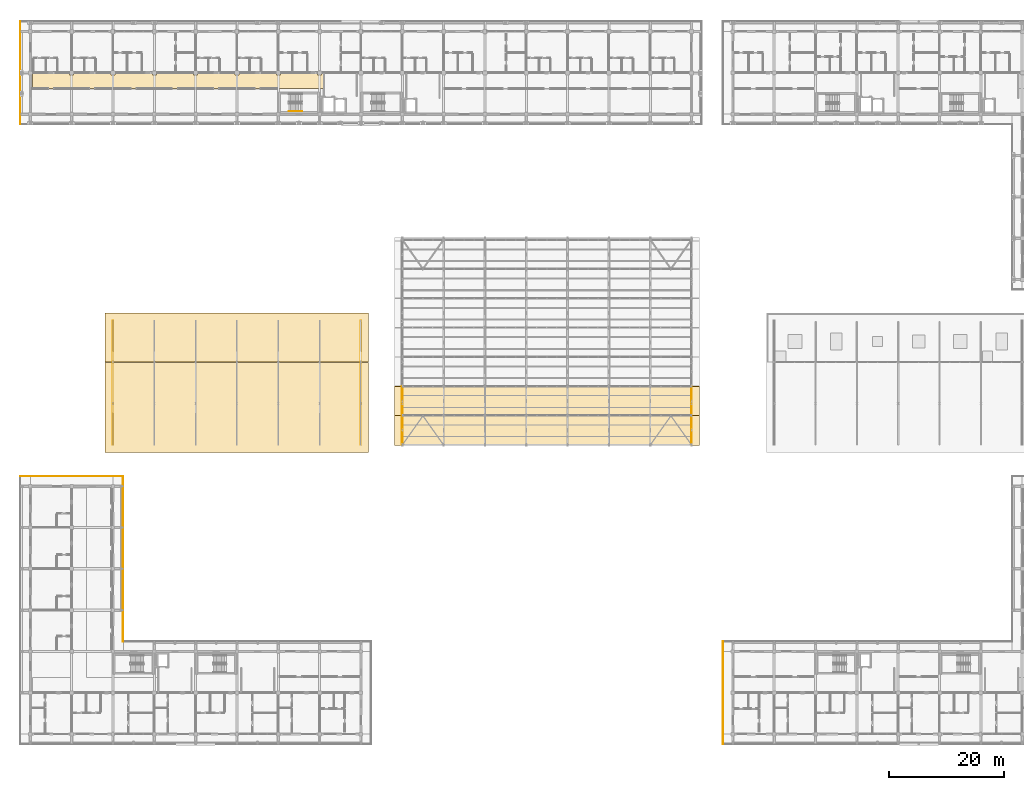
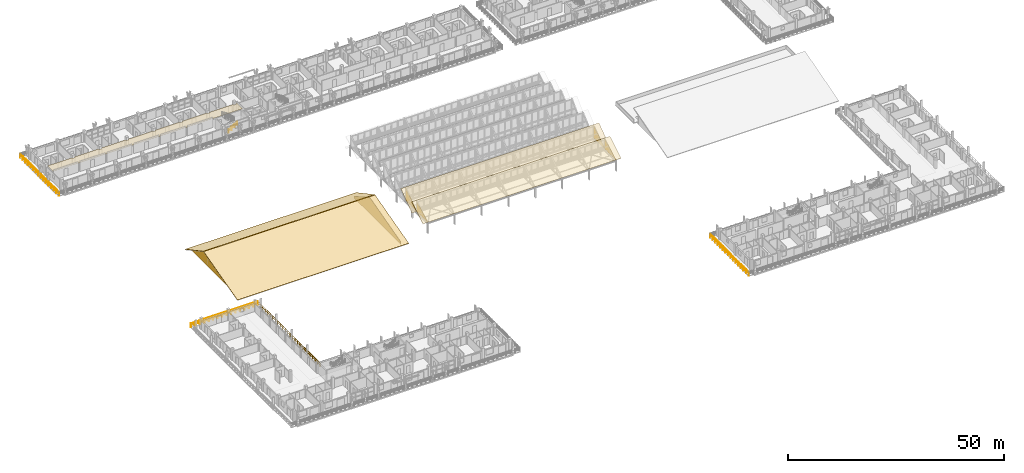
# One storey, part 146 of 157: 11 coverings, 5 railings.
"""IFC4 building model written with IfcOpenShell, lengths in metres."""

from ifc_helpers import new_model, si_unit, direction, frame, origin, origin_2d, place, context, subcontext, project, spatial, polyline, rectangle, outline, extrude, material, layer, layer_set, type_object, element, save


model = new_model("IFC4")

# Units and contexts
model_context = context("Model", 3, precision=1e-05, world=origin(), true_north=direction((0.0, 1.0)))
body_context = subcontext(model_context, "Body", "Model", "MODEL_VIEW")
ifc_project = project(units=[si_unit("LENGTHUNIT", "METRE"), si_unit("AREAUNIT", "SQUARE_METRE"), si_unit("VOLUMEUNIT", "CUBIC_METRE"), si_unit("PLANEANGLEUNIT", "RADIAN"), si_unit("MASSUNIT", "GRAM", prefix="KILO")], contexts=[model_context])

# Site, building, storey
site_placement = place(None, origin())
site = spatial("IfcSite", under=ifc_project, at=site_placement, CompositionType="ELEMENT")
building_placement = place(site_placement, origin())
building = spatial("IfcBuilding", under=site, at=building_placement, Name="Suanplinth Sawtooth Commons", CompositionType="ELEMENT")
storey_placement = place(building_placement, frame((0.0, 0.0, 9.0)))
storey = spatial("IfcBuildingStorey", under=building, at=storey_placement, Name="L02", CompositionType="ELEMENT", Elevation=9.0)

# Coverings
ifc_material_1 = material(Name="Mineral fibre acoustic tile")
ifc_layer_1 = layer(ifc_material_1, 0.0400390625, Name="Perforated mineral-fibre acoustic suspended ceiling")
ifc_layer_set_1 = layer_set([ifc_layer_1], Name="Mineral fibre acoustic tile")
covering_type_1 = type_object("IfcCoveringType", Name="CV-CE01", PredefinedType="CEILING", material=ifc_layer_set_1)
covering_1_placement = place(storey_placement, frame((0.0, 0.0, 2.3798828125)))
element("IfcCovering", 1, at=covering_1_placement, inside=storey, type_object=covering_type_1, Name="L02 Block A Corridor Acoustic Ceiling", PredefinedType="CEILING", context=body_context, shape_type="SweptSolid", body=[
    extrude(outline(polyline([(0.360107421875, 112.5), (0.360107421875, 115.1201171875), (6.844970703125, 115.1201171875), (6.844970703125, 114.844970703125), (7.554931640625, 114.844970703125), (7.554931640625, 115.1201171875), (14.044921875, 115.1201171875), (14.044921875, 114.844970703125), (14.7548828125, 114.844970703125), (14.7548828125, 115.1201171875), (21.2451171875, 115.1201171875), (21.2451171875, 114.844970703125), (21.955078125, 114.844970703125), (21.955078125, 115.1201171875), (28.445068359375, 115.1201171875), (28.445068359375, 114.844970703125), (29.155029296875, 114.844970703125), (29.155029296875, 115.1201171875), (35.64501953125, 115.1201171875), (35.64501953125, 114.844970703125), (36.35498046875, 114.844970703125), (36.35498046875, 115.1201171875), (42.844970703125, 115.1201171875), (42.844970703125, 114.844970703125), (43.554931640625, 114.844970703125), (43.554931640625, 115.1201171875), (50.044921875, 115.1201171875), (50.044921875, 114.844970703125), (50.7548828125, 114.844970703125), (50.7548828125, 115.1201171875), (51.080078125, 115.1201171875), (51.080078125, 112.5), (0.360107421875, 112.5)])), origin(), (0.0, 0.0, 1.0), 0.0400390625),
])
ifc_material_2 = material(Name="Insulated zinc-aluminium architectural wall panel", Category="aluminium")
ifc_layer_2 = layer(ifc_material_2, 0.139892578125, Name="Insulated architectural gable tympanum cladding 140mm")
ifc_layer_set_2 = layer_set([ifc_layer_2], Name="Insulated zinc-aluminium architectural wall panel")
covering_type_2 = type_object("IfcCoveringType", Name="CV-CL02", PredefinedType="CLADDING", material=ifc_layer_set_2)
for number, where, z_axis, x_axis, name in (
    (2, (64.800048828125, 50.39990234375, 3.179931640625), (0.0, 0.0, 1.0), (0.0, 1.0, 0.0), "Sawtooth Hall W Gable Tympanum Cladding Tooth 1"),
    (3, (115.199951171875, 50.39990234375, 3.179931640625), (0.0, 0.0, 1.0), (0.0, 1.0, 0.0), "Sawtooth Hall E Gable Tympanum Cladding Tooth 1"),
):
    element("IfcCovering", number, at=place(storey_placement, frame(where, z_axis=z_axis, x_axis=x_axis)), inside=storey, type_object=covering_type_2, Name=name, PredefinedType="CLADDING", context=body_context, shape_type="SweptSolid", body=[
        extrude(outline(polyline([(0.0, 0.0), (5.10009765625, 0.0), (5.10009765625, 2.840087890625), (0.0, 0.02001953125), (0.0, 0.0)])), frame((0.0, 0.06982421875, 0.0), z_axis=(0.0, -1.0, 0.0), x_axis=(1.0, 0.0, 0.0)), (0.0, 0.0, 1.0), 0.139892578125),
    ])
for number, where, z_axis, x_axis, name in (
    (4, (64.800048828125, 55.5, 3.179931640625), (0.0, 0.0, 1.0), (0.0, 1.0, 0.0), "Sawtooth Hall W Gable Tympanum Cladding Tooth 2"),
    (5, (115.199951171875, 55.5, 3.179931640625), (0.0, 0.0, 1.0), (0.0, 1.0, 0.0), "Sawtooth Hall E Gable Tympanum Cladding Tooth 2"),
):
    element("IfcCovering", number, at=place(storey_placement, frame(where, z_axis=z_axis, x_axis=x_axis)), inside=storey, type_object=covering_type_2, Name=name, PredefinedType="CLADDING", context=body_context, shape_type="SweptSolid", body=[
        extrude(outline(polyline([(0.0, 0.0), (5.10009765625, 0.0), (5.10009765625, 3.5400390625), (0.0, 0.02001953125), (0.0, 0.0)])), frame((0.0, 0.06982421875, 0.0), z_axis=(0.0, -1.0, 0.0), x_axis=(1.0, 0.0, 0.0)), (0.0, 0.0, 1.0), 0.139892578125),
    ])
for number, where, z_axis, x_axis, name in (
    (6, (14.39990234375, 50.39990234375, -0.60009765625), (0.0, 0.0, 1.0), (0.0, 1.0, 0.0), "Market W Dual-Pitch Gable Tympanum Cladding"),
    (7, (57.60009765625, 50.39990234375, -0.60009765625), (0.0, 0.0, 1.0), (0.0, 1.0, 0.0), "Market E Dual-Pitch Gable Tympanum Cladding"),
):
    element("IfcCovering", number, at=place(storey_placement, frame(where, z_axis=z_axis, x_axis=x_axis)), inside=storey, type_object=covering_type_2, Name=name, PredefinedType="CLADDING", context=body_context, shape_type="SweptSolid", body=[
        extrude(outline(polyline([(0.0, 0.0), (21.60009765625, 0.0), (21.60009765625, 0.550048828125), (14.39990234375, 4.60009765625), (0.0, 0.7001953125), (0.0, 0.0)])), frame((0.0, 0.06982421875, 0.0), z_axis=(0.0, -1.0, 0.0), x_axis=(1.0, 0.0, 0.0)), (0.0, 0.0, 1.0), 0.139892578125),
    ])
ifc_material_3 = material(Name="Standing-seam zinc-aluminium alloy sheet", Category="aluminium")
ifc_layer_3 = layer(ifc_material_3, 0.06494140625, Name="Standing-seam zinc-aluminium roof cladding 65mm")
ifc_layer_set_3 = layer_set([ifc_layer_3], Name="Standing-seam zinc-aluminium alloy sheet")
covering_type_3 = type_object("IfcCoveringType", Name="CV-RF01", PredefinedType="ROOFING", material=ifc_layer_set_3)
covering_2_placement = place(storey_placement, frame((63.449951171875, 50.280029296875, 3.1943359375), z_axis=(0.0, -0.507018364806, 0.861935251483), x_axis=(1.0, 0.0, 0.0)))
element("IfcCovering", 8, at=covering_2_placement, inside=storey, type_object=covering_type_3, Name="Sawtooth Standing-Seam Roof Cladding Tooth 1", PredefinedType="ROOFING", context=body_context, shape_type="SweptSolid", body=[
    extrude(outline(polyline([(0.0, 0.0), (53.10009765625, 0.0), (53.10009765625, 6.056105367707005), (0.0, 6.056105367707005), (0.0, 0.0)])), origin(), (0.0, 0.0, -1.0), 0.06494140625),
])
covering_3_placement = place(storey_placement, frame((63.449951171875, 55.3798828125, 3.177978515625), z_axis=(0.0, -0.587216916386, 0.809429609732), x_axis=(1.0, 0.0, 0.0)))
element("IfcCovering", 9, at=covering_3_placement, inside=storey, type_object=covering_type_3, Name="Sawtooth Standing-Seam Roof Cladding Tooth 2", PredefinedType="ROOFING", context=body_context, shape_type="SweptSolid", body=[
    extrude(outline(polyline([(0.0, 0.0), (53.10009765625, 0.0), (53.10009765625, 6.4492511528952505), (0.0, 6.4492511528952505), (0.0, 0.0)])), origin(), (0.0, 0.0, -1.0), 0.06494140625),
])
covering_4_placement = place(storey_placement, frame((13.050048828125, 49.050048828125, 0.02490234375), z_axis=(0.0, -0.25859433164, 0.965986010066), x_axis=(1.0, 0.0, 0.0)))
element("IfcCovering", 10, at=covering_4_placement, inside=storey, type_object=covering_type_3, Name="Market South Slope Roof Cladding", PredefinedType="ROOFING", context=body_context, shape_type="SweptSolid", body=[
    extrude(outline(polyline([(0.0, 0.0), (45.89990234375, 0.0), (45.89990234375, 16.242410596789664), (0.0, 16.242410596789664), (0.0, 0.0)])), origin(), (0.0, 0.0, -1.0), 0.06494140625),
])
covering_5_placement = place(storey_placement, frame((13.050048828125, 73.35009765625, -0.3349609375), z_axis=(0.0, 0.473176521736, 0.880967638042), x_axis=(1.0, 0.0, 0.0)))
element("IfcCovering", 11, at=covering_5_placement, inside=storey, type_object=covering_type_3, Name="Market North Slope Roof Cladding", PredefinedType="ROOFING", context=body_context, shape_type="SweptSolid", body=[
    extrude(outline(polyline([(0.0, 0.0), (45.89990234375, 0.0), (45.89990234375, -9.637119308082477), (0.0, -9.637119308082477), (0.0, 0.0)])), origin(), (0.0, 0.0, -1.0), 0.06494140625),
])

# Railings
ifc_material_4 = material(Name="Powder-coated galvanized steel", Category="steel")
railing_type_1 = type_object("IfcRailingType", Name="GR-01", PredefinedType="BALUSTRADE", material=ifc_material_4)
railing_1_placement = place(storey_placement, frame((-1.739990234375, 106.260009765625, 0.0)))
element("IfcRailing", 12, at=railing_1_placement, inside=storey, type_object=railing_type_1, Name="L02 Block A Perimeter Balustrade 1", PredefinedType="BALUSTRADE", context=body_context, shape_type="SweptSolid", body=[
    extrude(rectangle(XDim=0.048095703125, YDim=0.048095703125, at=origin_2d()), frame((0.0, 0.0, 1.09619140625), z_axis=(0.0, 1.0, 0.0), x_axis=(-1.0, 0.0, 0.0)), (0.0, 0.0, 1.0), 17.8798828125),
    extrude(rectangle(XDim=0.03369140625, YDim=0.03369140625, at=origin_2d()), frame((0.0, 0.0, 0.56005859375), z_axis=(0.0, 1.0, 0.0), x_axis=(-1.0, 0.0, 0.0)), (0.0, 0.0, 1.0), 17.8798828125),
    extrude(rectangle(XDim=0.0419921875, YDim=0.0419921875, at=origin_2d()), origin(), (0.0, 0.0, 1.0), 1.072021484375),
    extrude(rectangle(XDim=0.0419921875, YDim=0.0419921875, at=origin_2d()), frame((0.0, 1.19189453125, 0.0)), (0.0, 0.0, 1.0), 1.072021484375),
    extrude(rectangle(XDim=0.0419921875, YDim=0.0419921875, at=origin_2d()), frame((0.0, 2.384033203125, 0.0)), (0.0, 0.0, 1.0), 1.072021484375),
    extrude(rectangle(XDim=0.0419921875, YDim=0.0419921875, at=origin_2d()), frame((0.0, 3.575927734375, 0.0)), (0.0, 0.0, 1.0), 1.072021484375),
    extrude(rectangle(XDim=0.0419921875, YDim=0.0419921875, at=origin_2d()), frame((0.0, 4.76806640625, 0.0)), (0.0, 0.0, 1.0), 1.072021484375),
    extrude(rectangle(XDim=0.0419921875, YDim=0.0419921875, at=origin_2d()), frame((0.0, 5.9599609375, 0.0)), (0.0, 0.0, 1.0), 1.072021484375),
    extrude(rectangle(XDim=0.0419921875, YDim=0.0419921875, at=origin_2d()), frame((0.0, 7.15185546875, 0.0)), (0.0, 0.0, 1.0), 1.072021484375),
    extrude(rectangle(XDim=0.0419921875, YDim=0.0419921875, at=origin_2d()), frame((0.0, 8.343994140625, 0.0)), (0.0, 0.0, 1.0), 1.072021484375),
    extrude(rectangle(XDim=0.0419921875, YDim=0.0419921875, at=origin_2d()), frame((0.0, 9.535888671875, 0.0)), (0.0, 0.0, 1.0), 1.072021484375),
    extrude(rectangle(XDim=0.0419921875, YDim=0.0419921875, at=origin_2d()), frame((0.0, 10.72802734375, 0.0)), (0.0, 0.0, 1.0), 1.072021484375),
    extrude(rectangle(XDim=0.0419921875, YDim=0.0419921875, at=origin_2d()), frame((0.0, 11.919921875, 0.0)), (0.0, 0.0, 1.0), 1.072021484375),
    extrude(rectangle(XDim=0.0419921875, YDim=0.0419921875, at=origin_2d()), frame((0.0, 13.11181640625, 0.0)), (0.0, 0.0, 1.0), 1.072021484375),
    extrude(rectangle(XDim=0.0419921875, YDim=0.0419921875, at=origin_2d()), frame((0.0, 14.303955078125, 0.0)), (0.0, 0.0, 1.0), 1.072021484375),
    extrude(rectangle(XDim=0.0419921875, YDim=0.0419921875, at=origin_2d()), frame((0.0, 15.495849609375, 0.0)), (0.0, 0.0, 1.0), 1.072021484375),
    extrude(rectangle(XDim=0.0419921875, YDim=0.0419921875, at=origin_2d()), frame((0.0, 16.68798828125, 0.0)), (0.0, 0.0, 1.0), 1.072021484375),
    extrude(rectangle(XDim=0.0419921875, YDim=0.0419921875, at=origin_2d()), frame((0.0, 17.8798828125, 0.0)), (0.0, 0.0, 1.0), 1.072021484375),
])
railing_2_placement = place(storey_placement, frame((120.659912109375, -1.739990234375, 0.0)))
element("IfcRailing", 13, at=railing_2_placement, inside=storey, type_object=railing_type_1, Name="L02 Block C Perimeter Balustrade 1", PredefinedType="BALUSTRADE", context=body_context, shape_type="SweptSolid", body=[
    extrude(rectangle(XDim=0.048095703125, YDim=0.048095703125, at=origin_2d()), frame((0.0, 0.0, 1.09619140625), z_axis=(0.0, 1.0, 0.0), x_axis=(-1.0, 0.0, 0.0)), (0.0, 0.0, 1.0), 17.8798828125),
    extrude(rectangle(XDim=0.03369140625, YDim=0.03369140625, at=origin_2d()), frame((0.0, 0.0, 0.56005859375), z_axis=(0.0, 1.0, 0.0), x_axis=(-1.0, 0.0, 0.0)), (0.0, 0.0, 1.0), 17.8798828125),
    extrude(rectangle(XDim=0.0419921875, YDim=0.0419921875, at=origin_2d()), origin(), (0.0, 0.0, 1.0), 1.072021484375),
    extrude(rectangle(XDim=0.0419921875, YDim=0.0419921875, at=origin_2d()), frame((0.0, 1.19189453125, 0.0)), (0.0, 0.0, 1.0), 1.072021484375),
    extrude(rectangle(XDim=0.0419921875, YDim=0.0419921875, at=origin_2d()), frame((0.0, 2.384033203125, 0.0)), (0.0, 0.0, 1.0), 1.072021484375),
    extrude(rectangle(XDim=0.0419921875, YDim=0.0419921875, at=origin_2d()), frame((0.0, 3.575927734375, 0.0)), (0.0, 0.0, 1.0), 1.072021484375),
    extrude(rectangle(XDim=0.0419921875, YDim=0.0419921875, at=origin_2d()), frame((0.0, 4.76806640625, 0.0)), (0.0, 0.0, 1.0), 1.072021484375),
    extrude(rectangle(XDim=0.0419921875, YDim=0.0419921875, at=origin_2d()), frame((0.0, 5.9599609375, 0.0)), (0.0, 0.0, 1.0), 1.072021484375),
    extrude(rectangle(XDim=0.0419921875, YDim=0.0419921875, at=origin_2d()), frame((0.0, 7.15185546875, 0.0)), (0.0, 0.0, 1.0), 1.072021484375),
    extrude(rectangle(XDim=0.0419921875, YDim=0.0419921875, at=origin_2d()), frame((0.0, 8.343994140625, 0.0)), (0.0, 0.0, 1.0), 1.072021484375),
    extrude(rectangle(XDim=0.0419921875, YDim=0.0419921875, at=origin_2d()), frame((0.0, 9.535888671875, 0.0)), (0.0, 0.0, 1.0), 1.072021484375),
    extrude(rectangle(XDim=0.0419921875, YDim=0.0419921875, at=origin_2d()), frame((0.0, 10.72802734375, 0.0)), (0.0, 0.0, 1.0), 1.072021484375),
    extrude(rectangle(XDim=0.0419921875, YDim=0.0419921875, at=origin_2d()), frame((0.0, 11.919921875, 0.0)), (0.0, 0.0, 1.0), 1.072021484375),
    extrude(rectangle(XDim=0.0419921875, YDim=0.0419921875, at=origin_2d()), frame((0.0, 13.11181640625, 0.0)), (0.0, 0.0, 1.0), 1.072021484375),
    extrude(rectangle(XDim=0.0419921875, YDim=0.0419921875, at=origin_2d()), frame((0.0, 14.303955078125, 0.0)), (0.0, 0.0, 1.0), 1.072021484375),
    extrude(rectangle(XDim=0.0419921875, YDim=0.0419921875, at=origin_2d()), frame((0.0, 15.495849609375, 0.0)), (0.0, 0.0, 1.0), 1.072021484375),
    extrude(rectangle(XDim=0.0419921875, YDim=0.0419921875, at=origin_2d()), frame((0.0, 16.68798828125, 0.0)), (0.0, 0.0, 1.0), 1.072021484375),
    extrude(rectangle(XDim=0.0419921875, YDim=0.0419921875, at=origin_2d()), frame((0.0, 17.8798828125, 0.0)), (0.0, 0.0, 1.0), 1.072021484375),
])
railing_3_placement = place(storey_placement, frame((-1.739990234375, 44.93994140625, 0.0)))
element("IfcRailing", 14, at=railing_3_placement, inside=storey, type_object=railing_type_1, Name="L02 Block D Perimeter Balustrade 2", PredefinedType="BALUSTRADE", context=body_context, shape_type="SweptSolid", body=[
    extrude(rectangle(XDim=0.048095703125, YDim=0.048095703125, at=origin_2d()), frame((0.0, 0.0, 1.09619140625), z_axis=(1.0, 0.0, 0.0), x_axis=(0.0, 1.0, 0.0)), (0.0, 0.0, 1.0), 17.8798828125),
    extrude(rectangle(XDim=0.03369140625, YDim=0.03369140625, at=origin_2d()), frame((0.0, 0.0, 0.56005859375), z_axis=(1.0, 0.0, 0.0), x_axis=(0.0, 1.0, 0.0)), (0.0, 0.0, 1.0), 17.8798828125),
    extrude(rectangle(XDim=0.0419921875, YDim=0.0419921875, at=origin_2d()), origin(), (0.0, 0.0, 1.0), 1.072021484375),
    extrude(rectangle(XDim=0.0419921875, YDim=0.0419921875, at=origin_2d()), frame((1.19189453125, 0.0, 0.0)), (0.0, 0.0, 1.0), 1.072021484375),
    extrude(rectangle(XDim=0.0419921875, YDim=0.0419921875, at=origin_2d()), frame((2.384033203125, 0.0, 0.0)), (0.0, 0.0, 1.0), 1.072021484375),
    extrude(rectangle(XDim=0.0419921875, YDim=0.0419921875, at=origin_2d()), frame((3.575927734375, 0.0, 0.0)), (0.0, 0.0, 1.0), 1.072021484375),
    extrude(rectangle(XDim=0.0419921875, YDim=0.0419921875, at=origin_2d()), frame((4.76806640625, 0.0, 0.0)), (0.0, 0.0, 1.0), 1.072021484375),
    extrude(rectangle(XDim=0.0419921875, YDim=0.0419921875, at=origin_2d()), frame((5.9599609375, 0.0, 0.0)), (0.0, 0.0, 1.0), 1.072021484375),
    extrude(rectangle(XDim=0.0419921875, YDim=0.0419921875, at=origin_2d()), frame((7.15185546875, 0.0, 0.0)), (0.0, 0.0, 1.0), 1.072021484375),
    extrude(rectangle(XDim=0.0419921875, YDim=0.0419921875, at=origin_2d()), frame((8.343994140625, 0.0, 0.0)), (0.0, 0.0, 1.0), 1.072021484375),
    extrude(rectangle(XDim=0.0419921875, YDim=0.0419921875, at=origin_2d()), frame((9.535888671875, 0.0, 0.0)), (0.0, 0.0, 1.0), 1.072021484375),
    extrude(rectangle(XDim=0.0419921875, YDim=0.0419921875, at=origin_2d()), frame((10.72802734375, 0.0, 0.0)), (0.0, 0.0, 1.0), 1.072021484375),
    extrude(rectangle(XDim=0.0419921875, YDim=0.0419921875, at=origin_2d()), frame((11.919921875, 0.0, 0.0)), (0.0, 0.0, 1.0), 1.072021484375),
    extrude(rectangle(XDim=0.0419921875, YDim=0.0419921875, at=origin_2d()), frame((13.11181640625, 0.0, 0.0)), (0.0, 0.0, 1.0), 1.072021484375),
    extrude(rectangle(XDim=0.0419921875, YDim=0.0419921875, at=origin_2d()), frame((14.303955078125, 0.0, 0.0)), (0.0, 0.0, 1.0), 1.072021484375),
    extrude(rectangle(XDim=0.0419921875, YDim=0.0419921875, at=origin_2d()), frame((15.495849609375, 0.0, 0.0)), (0.0, 0.0, 1.0), 1.072021484375),
    extrude(rectangle(XDim=0.0419921875, YDim=0.0419921875, at=origin_2d()), frame((16.68798828125, 0.0, 0.0)), (0.0, 0.0, 1.0), 1.072021484375),
    extrude(rectangle(XDim=0.0419921875, YDim=0.0419921875, at=origin_2d()), frame((17.8798828125, 0.0, 0.0)), (0.0, 0.0, 1.0), 1.072021484375),
])
railing_4_placement = place(storey_placement, frame((16.139892578125, 44.93994140625, 0.0)))
element("IfcRailing", 15, at=railing_4_placement, inside=storey, type_object=railing_type_1, Name="L02 Block D Perimeter Balustrade 3", PredefinedType="BALUSTRADE", context=body_context, shape_type="SweptSolid", body=[
    extrude(rectangle(XDim=0.048095703125, YDim=0.048095703125, at=origin_2d()), frame((0.0, 0.0, 1.09619140625), z_axis=(0.0, -1.0, 0.0), x_axis=(1.0, 0.0, 0.0)), (0.0, 0.0, 1.0), 28.800048828125),
    extrude(rectangle(XDim=0.03369140625, YDim=0.03369140625, at=origin_2d()), frame((0.0, 0.0, 0.56005859375), z_axis=(0.0, -1.0, 0.0), x_axis=(1.0, 0.0, 0.0)), (0.0, 0.0, 1.0), 28.800048828125),
    extrude(rectangle(XDim=0.0419921875, YDim=0.0419921875, at=origin_2d()), origin(), (0.0, 0.0, 1.0), 1.072021484375),
    extrude(rectangle(XDim=0.0419921875, YDim=0.0419921875, at=origin_2d()), frame((0.0, -1.152099609375, 0.0)), (0.0, 0.0, 1.0), 1.072021484375),
    extrude(rectangle(XDim=0.0419921875, YDim=0.0419921875, at=origin_2d()), frame((0.0, -2.303955078125, 0.0)), (0.0, 0.0, 1.0), 1.072021484375),
    extrude(rectangle(XDim=0.0419921875, YDim=0.0419921875, at=origin_2d()), frame((0.0, -3.4560546875, 0.0)), (0.0, 0.0, 1.0), 1.072021484375),
    extrude(rectangle(XDim=0.0419921875, YDim=0.0419921875, at=origin_2d()), frame((0.0, -4.60791015625, 0.0)), (0.0, 0.0, 1.0), 1.072021484375),
    extrude(rectangle(XDim=0.0419921875, YDim=0.0419921875, at=origin_2d()), frame((0.0, -5.760009765625, 0.0)), (0.0, 0.0, 1.0), 1.072021484375),
    extrude(rectangle(XDim=0.0419921875, YDim=0.0419921875, at=origin_2d()), frame((0.0, -6.912109375, 0.0)), (0.0, 0.0, 1.0), 1.072021484375),
    extrude(rectangle(XDim=0.0419921875, YDim=0.0419921875, at=origin_2d()), frame((0.0, -8.06396484375, 0.0)), (0.0, 0.0, 1.0), 1.072021484375),
    extrude(rectangle(XDim=0.0419921875, YDim=0.0419921875, at=origin_2d()), frame((0.0, -9.216064453125, 0.0)), (0.0, 0.0, 1.0), 1.072021484375),
    extrude(rectangle(XDim=0.0419921875, YDim=0.0419921875, at=origin_2d()), frame((0.0, -10.367919921875, 0.0)), (0.0, 0.0, 1.0), 1.072021484375),
    extrude(rectangle(XDim=0.0419921875, YDim=0.0419921875, at=origin_2d()), frame((0.0, -11.52001953125, 0.0)), (0.0, 0.0, 1.0), 1.072021484375),
    extrude(rectangle(XDim=0.0419921875, YDim=0.0419921875, at=origin_2d()), frame((0.0, -12.672119140625, 0.0)), (0.0, 0.0, 1.0), 1.072021484375),
    extrude(rectangle(XDim=0.0419921875, YDim=0.0419921875, at=origin_2d()), frame((0.0, -13.823974609375, 0.0)), (0.0, 0.0, 1.0), 1.072021484375),
    extrude(rectangle(XDim=0.0419921875, YDim=0.0419921875, at=origin_2d()), frame((0.0, -14.97607421875, 0.0)), (0.0, 0.0, 1.0), 1.072021484375),
    extrude(rectangle(XDim=0.0419921875, YDim=0.0419921875, at=origin_2d()), frame((0.0, -16.1279296875, 0.0)), (0.0, 0.0, 1.0), 1.072021484375),
    extrude(rectangle(XDim=0.0419921875, YDim=0.0419921875, at=origin_2d()), frame((0.0, -17.280029296875, 0.0)), (0.0, 0.0, 1.0), 1.072021484375),
    extrude(rectangle(XDim=0.0419921875, YDim=0.0419921875, at=origin_2d()), frame((0.0, -18.43212890625, 0.0)), (0.0, 0.0, 1.0), 1.072021484375),
    extrude(rectangle(XDim=0.0419921875, YDim=0.0419921875, at=origin_2d()), frame((0.0, -19.583984375, 0.0)), (0.0, 0.0, 1.0), 1.072021484375),
    extrude(rectangle(XDim=0.0419921875, YDim=0.0419921875, at=origin_2d()), frame((0.0, -20.736083984375, 0.0)), (0.0, 0.0, 1.0), 1.072021484375),
    extrude(rectangle(XDim=0.0419921875, YDim=0.0419921875, at=origin_2d()), frame((0.0, -21.887939453125, 0.0)), (0.0, 0.0, 1.0), 1.072021484375),
    extrude(rectangle(XDim=0.0419921875, YDim=0.0419921875, at=origin_2d()), frame((0.0, -23.0400390625, 0.0)), (0.0, 0.0, 1.0), 1.072021484375),
    extrude(rectangle(XDim=0.0419921875, YDim=0.0419921875, at=origin_2d()), frame((0.0, -24.192138671875, 0.0)), (0.0, 0.0, 1.0), 1.072021484375),
    extrude(rectangle(XDim=0.0419921875, YDim=0.0419921875, at=origin_2d()), frame((0.0, -25.343994140625, 0.0)), (0.0, 0.0, 1.0), 1.072021484375),
    extrude(rectangle(XDim=0.0419921875, YDim=0.0419921875, at=origin_2d()), frame((0.0, -26.49609375, 0.0)), (0.0, 0.0, 1.0), 1.072021484375),
    extrude(rectangle(XDim=0.0419921875, YDim=0.0419921875, at=origin_2d()), frame((0.0, -27.64794921875, 0.0)), (0.0, 0.0, 1.0), 1.072021484375),
    extrude(rectangle(XDim=0.0419921875, YDim=0.0419921875, at=origin_2d()), frame((0.0, -28.800048828125, 0.0)), (0.0, 0.0, 1.0), 1.072021484375),
])
ifc_material_5 = material(Name="Stainless steel Grade 304", Category="steel")
railing_type_2 = type_object("IfcRailingType", Name="HR-01", PredefinedType="HANDRAIL", material=ifc_material_5)
railing_5_placement = place(storey_placement, frame((45.050048828125, 108.5, 0.177734375)))
element("IfcRailing", 16, at=railing_5_placement, inside=storey, type_object=railing_type_2, Name="L02 ST-N1 Handrail 1", PredefinedType="HANDRAIL", context=body_context, shape_type="SweptSolid", body=[
    extrude(rectangle(XDim=0.048095703125, YDim=0.048095703125, at=origin_2d()), frame((0.0, 0.0, 0.8759765625), z_axis=(0.848442045328, 0.0, 0.529288291689), x_axis=(0.0, 1.0, 0.0)), (0.0, 0.0, 1.0), 2.687255859375),
    extrude(rectangle(XDim=0.03369140625, YDim=0.03369140625, at=origin_2d()), frame((0.0, 0.0, 0.449951171875), z_axis=(0.848442045328, 0.0, 0.529288291689), x_axis=(0.0, 1.0, 0.0)), (0.0, 0.0, 1.0), 2.687255859375),
    extrude(rectangle(XDim=0.0419921875, YDim=0.0419921875, at=origin_2d()), origin(), (0.0, 0.0, 1.0), 0.851806640625),
    extrude(rectangle(XDim=0.0419921875, YDim=0.0419921875, at=origin_2d()), frame((0.760009765625, 0.0, 0.47412109375)), (0.0, 0.0, 1.0), 0.851806640625),
    extrude(rectangle(XDim=0.0419921875, YDim=0.0419921875, at=origin_2d()), frame((1.52001953125, 0.0, 0.9482421875)), (0.0, 0.0, 1.0), 0.851806640625),
    extrude(rectangle(XDim=0.0419921875, YDim=0.0419921875, at=origin_2d()), frame((2.280029296875, 0.0, 1.42236328125)), (0.0, 0.0, 1.0), 0.851806640625),
])

save(model, "model.ifc")
